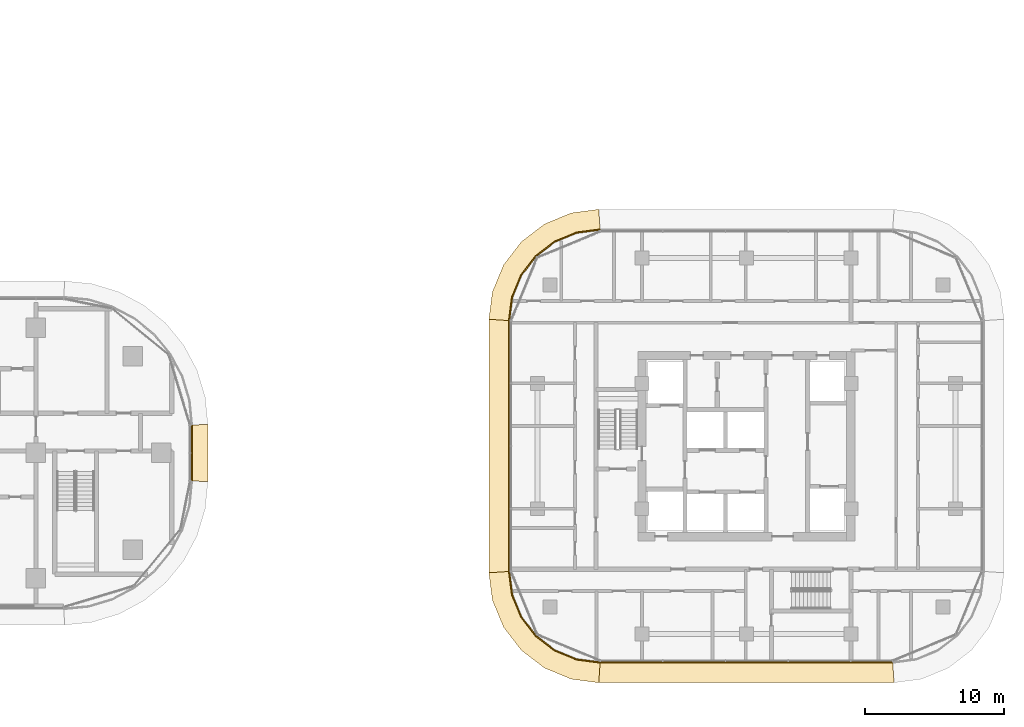
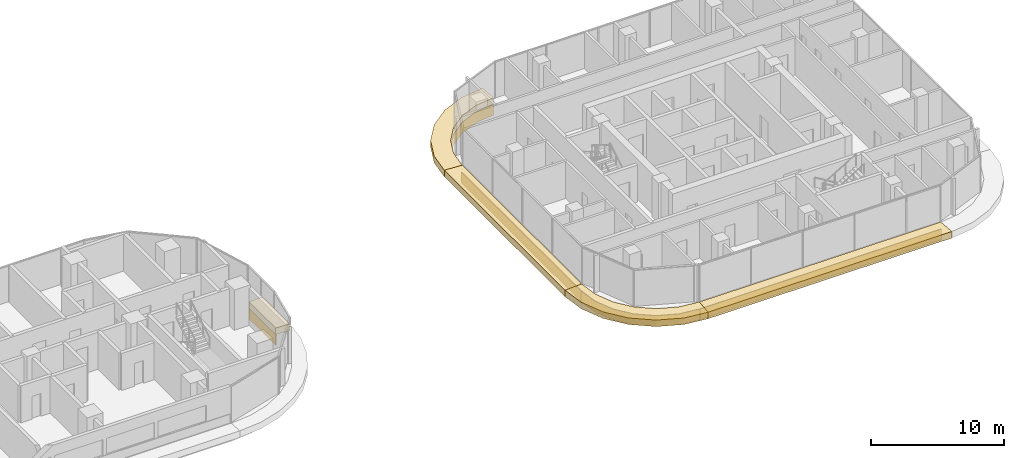
# One storey, part 34 of 36: 10 coverings.
"""IFC4 building model written with IfcOpenShell, lengths in metres."""

from ifc_helpers import new_model, si_unit, direction, frame, origin, place, context, subcontext, project, spatial, polyline, outline, extrude, material, layer, layer_set, type_object, element, save


model = new_model("IFC4")

# Units and contexts
model_context = context("Model", 3, precision=1e-05, world=origin(), true_north=direction((0.0, 1.0)))
body_context = subcontext(model_context, "Body", "Model", "MODEL_VIEW")
ifc_project = project(units=[si_unit("LENGTHUNIT", "METRE"), si_unit("AREAUNIT", "SQUARE_METRE"), si_unit("VOLUMEUNIT", "CUBIC_METRE"), si_unit("PLANEANGLEUNIT", "RADIAN"), si_unit("MASSUNIT", "GRAM", prefix="KILO")], contexts=[model_context])

# Site, building, storey
site_placement = place(None, origin())
site = spatial("IfcSite", under=ifc_project, at=site_placement, CompositionType="ELEMENT")
building_placement = place(site_placement, origin())
building = spatial("IfcBuilding", under=site, at=building_placement, Name="Ogive Portal Towers", CompositionType="ELEMENT")
storey_placement = place(building_placement, frame((0.0, 0.0, 52.0)))
storey = spatial("IfcBuildingStorey", under=building, at=storey_placement, Name="L11", CompositionType="ELEMENT", Elevation=52.0)

# Coverings
ifc_material = material(Name="Limestone cladding on lightweight block wall", Category="masonry")
ifc_layer_1 = layer(ifc_material, 0.080078125)
ifc_layer_set_1 = layer_set([ifc_layer_1], Name="STONE SPANDREL 80")
covering_type_1 = type_object("IfcCoveringType", Name="STONE SPANDREL 80", PredefinedType="CLADDING", material=ifc_layer_set_1)
covering_1_placement = place(storey_placement, frame((0.0, 0.0, -1.60009765625)))
element("IfcCovering", 1, at=covering_1_placement, inside=storey, type_object=covering_type_1, Name="Stone spandrel A1-F07", PredefinedType="CLADDING", context=body_context, shape_type="SweptSolid", body=[
    extrude(outline(polyline([(96.64501953125, 28.5), (96.64501953125, 32.5), (96.72509765625, 32.50390625), (96.72509765625, 28.49609375), (96.64501953125, 28.5)])), origin(), (0.0, 0.0, 1.0), 1.0),
])
covering_2_placement = place(storey_placement, frame((0.0, 0.0, -1.60009765625)))
element("IfcCovering", 2, at=covering_2_placement, inside=storey, type_object=covering_type_1, Name="Stone spandrel B1-F01", PredefinedType="CLADDING", context=body_context, shape_type="SweptSolid", body=[
    extrude(outline(polyline([(119.510009765625, 22.0), (119.731201171875, 20.3203125), (120.37939453125, 18.7548828125), (121.410888671875, 17.410888671875), (122.7548828125, 16.37939453125), (124.3203125, 15.731201171875), (126.0, 15.510009765625), (125.994873046875, 15.429931640625), (124.29931640625, 15.6533203125), (122.714599609375, 16.3095703125), (121.353759765625, 17.353759765625), (120.3095703125, 18.714599609375), (119.6533203125, 20.29931640625), (119.429931640625, 21.994873046875), (119.510009765625, 22.0)])), origin(), (0.0, 0.0, 1.0), 1.0),
])
covering_3_placement = place(storey_placement, frame((0.0, 0.0, -1.60009765625)))
element("IfcCovering", 3, at=covering_3_placement, inside=storey, type_object=covering_type_1, Name="Stone spandrel B1-F02", PredefinedType="CLADDING", context=body_context, shape_type="SweptSolid", body=[
    extrude(outline(polyline([(126.0, 15.510009765625), (147.0, 15.510009765625), (147.005126953125, 15.429931640625), (125.994873046875, 15.429931640625), (126.0, 15.510009765625)])), origin(), (0.0, 0.0, 1.0), 1.0),
])
covering_4_placement = place(storey_placement, frame((0.0, 0.0, -1.60009765625)))
element("IfcCovering", 4, at=covering_4_placement, inside=storey, type_object=covering_type_1, Name="Stone spandrel B1-F07", PredefinedType="CLADDING", context=body_context, shape_type="SweptSolid", body=[
    extrude(outline(polyline([(126.0, 46.489990234375), (124.3203125, 46.268798828125), (122.7548828125, 45.62060546875), (121.410888671875, 44.589111328125), (120.37939453125, 43.2451171875), (119.731201171875, 41.6796875), (119.510009765625, 40.0), (119.429931640625, 40.005126953125), (119.6533203125, 41.70068359375), (120.3095703125, 43.285400390625), (121.353759765625, 44.646240234375), (122.714599609375, 45.6904296875), (124.29931640625, 46.3466796875), (125.994873046875, 46.570068359375), (126.0, 46.489990234375)])), origin(), (0.0, 0.0, 1.0), 1.0),
])
covering_5_placement = place(storey_placement, frame((0.0, 0.0, -1.60009765625)))
element("IfcCovering", 5, at=covering_5_placement, inside=storey, type_object=covering_type_1, Name="Stone spandrel B1-F08", PredefinedType="CLADDING", context=body_context, shape_type="SweptSolid", body=[
    extrude(outline(polyline([(119.510009765625, 40.0), (119.510009765625, 22.0), (119.429931640625, 21.994873046875), (119.429931640625, 40.005126953125), (119.510009765625, 40.0)])), origin(), (0.0, 0.0, 1.0), 1.0),
])
ifc_layer_2 = layer(ifc_material, 0.60009765625)
ifc_layer_set_2 = layer_set([ifc_layer_2], Name="SUNSHADE LIP 600")
covering_type_2 = type_object("IfcCoveringType", Name="SUNSHADE LIP 600", PredefinedType="CLADDING", material=ifc_layer_set_2)
covering_6_placement = place(storey_placement, frame((0.0, 0.0, -0.60009765625)))
element("IfcCovering", 6, at=covering_6_placement, inside=storey, type_object=covering_type_2, Name="Sunshade lip A1-F07", PredefinedType="CLADDING", context=body_context, shape_type="SweptSolid", body=[
    extrude(outline(polyline([(96.64501953125, 28.5), (96.64501953125, 32.5), (97.844970703125, 32.558837890625), (97.844970703125, 28.441162109375), (96.64501953125, 28.5)])), origin(), (0.0, 0.0, 1.0), 0.60009765625),
])
covering_7_placement = place(storey_placement, frame((0.0, 0.0, -0.60009765625)))
element("IfcCovering", 7, at=covering_7_placement, inside=storey, type_object=covering_type_2, Name="Sunshade lip B1-F01", PredefinedType="CLADDING", context=body_context, shape_type="SweptSolid", body=[
    extrude(outline(polyline([(119.510009765625, 22.0), (119.731201171875, 20.3203125), (120.37939453125, 18.7548828125), (121.410888671875, 17.410888671875), (122.7548828125, 16.37939453125), (124.3203125, 15.731201171875), (126.0, 15.510009765625), (125.901611328125, 14.010009765625), (123.9287109375, 14.269775390625), (121.99853515625, 15.0693359375), (120.341064453125, 16.341064453125), (119.0693359375, 17.99853515625), (118.269775390625, 19.9287109375), (118.010009765625, 21.901611328125), (119.510009765625, 22.0)])), origin(), (0.0, 0.0, 1.0), 0.60009765625),
])
covering_8_placement = place(storey_placement, frame((0.0, 0.0, -0.60009765625)))
element("IfcCovering", 8, at=covering_8_placement, inside=storey, type_object=covering_type_2, Name="Sunshade lip B1-F02", PredefinedType="CLADDING", context=body_context, shape_type="SweptSolid", body=[
    extrude(outline(polyline([(126.0, 15.510009765625), (147.0, 15.510009765625), (147.098388671875, 14.010009765625), (125.901611328125, 14.010009765625), (126.0, 15.510009765625)])), origin(), (0.0, 0.0, 1.0), 0.60009765625),
])
covering_9_placement = place(storey_placement, frame((0.0, 0.0, -0.60009765625)))
element("IfcCovering", 9, at=covering_9_placement, inside=storey, type_object=covering_type_2, Name="Sunshade lip B1-F07", PredefinedType="CLADDING", context=body_context, shape_type="SweptSolid", body=[
    extrude(outline(polyline([(126.0, 46.489990234375), (124.3203125, 46.268798828125), (122.7548828125, 45.62060546875), (121.410888671875, 44.589111328125), (120.37939453125, 43.2451171875), (119.731201171875, 41.6796875), (119.510009765625, 40.0), (118.010009765625, 40.098388671875), (118.269775390625, 42.0712890625), (119.0693359375, 44.00146484375), (120.341064453125, 45.658935546875), (121.99853515625, 46.9306640625), (123.9287109375, 47.730224609375), (125.901611328125, 47.989990234375), (126.0, 46.489990234375)])), origin(), (0.0, 0.0, 1.0), 0.60009765625),
])
covering_10_placement = place(storey_placement, frame((0.0, 0.0, -0.60009765625)))
element("IfcCovering", 10, at=covering_10_placement, inside=storey, type_object=covering_type_2, Name="Sunshade lip B1-F08", PredefinedType="CLADDING", context=body_context, shape_type="SweptSolid", body=[
    extrude(outline(polyline([(119.510009765625, 40.0), (119.510009765625, 22.0), (118.010009765625, 21.901611328125), (118.010009765625, 40.098388671875), (119.510009765625, 40.0)])), origin(), (0.0, 0.0, 1.0), 0.60009765625),
])

save(model, "model.ifc")
